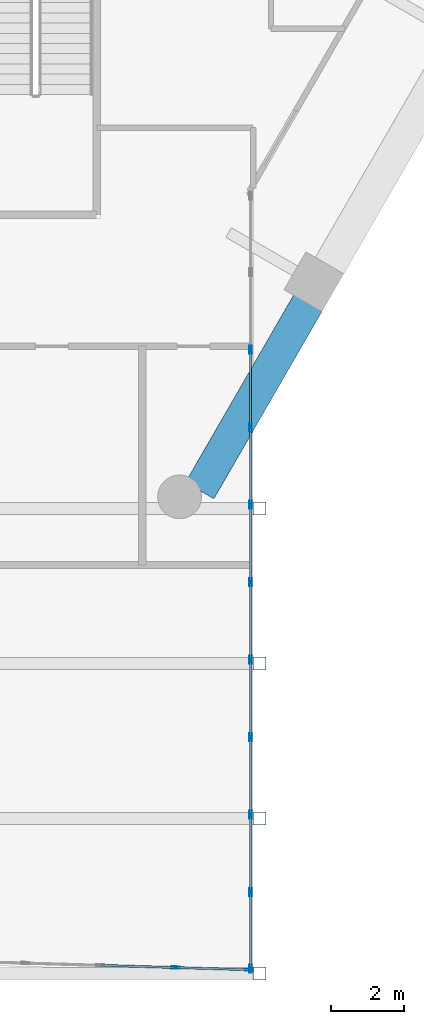
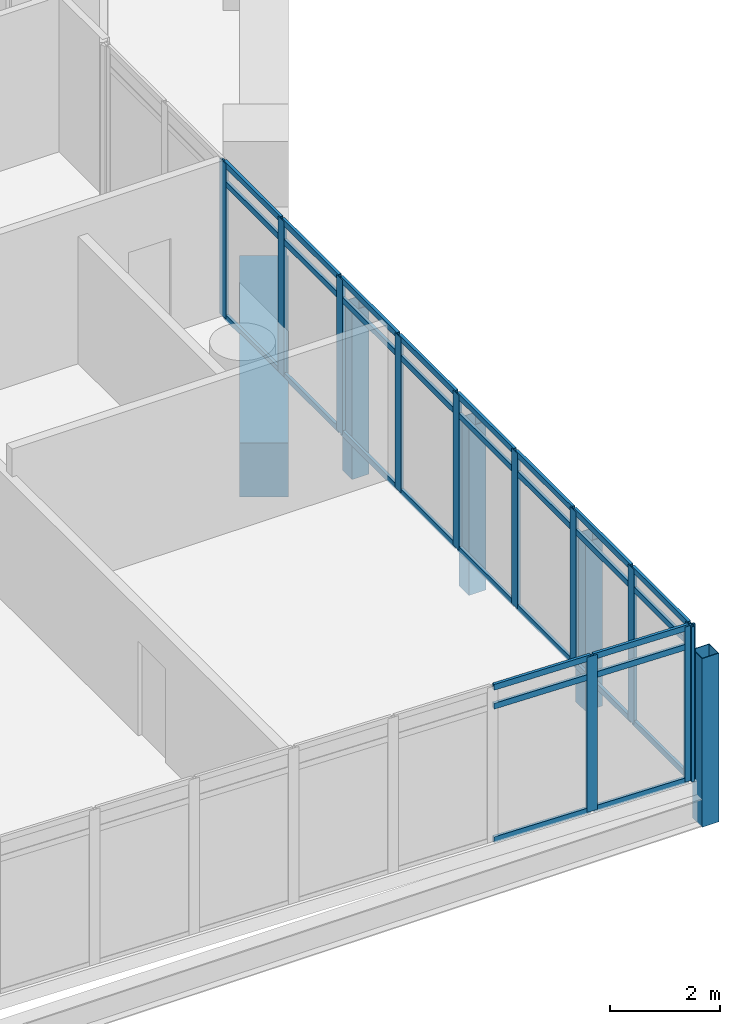
# One storey, part 10 of 28: 45 members, 1 beam, 2 elements without a shape of their own.
"""IFC4 building model written with IfcOpenShell, lengths in metres."""

from ifc_helpers import new_model, si_unit, direction, frame, origin, origin_2d, place, context, subcontext, project, spatial, rectangle, hollow_rectangle, extrude, material, material_profile, profile_set, type_object, element, aggregate, save


model = new_model("IFC4")

# Units and contexts
model_context = context("Model", 3, precision=1e-05, world=origin(), true_north=direction((0.0, 1.0)))
body_context = subcontext(model_context, "Body", "Model", "MODEL_VIEW")
ifc_project = project(units=[si_unit("LENGTHUNIT", "METRE"), si_unit("AREAUNIT", "SQUARE_METRE"), si_unit("VOLUMEUNIT", "CUBIC_METRE"), si_unit("PLANEANGLEUNIT", "RADIAN"), si_unit("MASSUNIT", "GRAM", prefix="KILO")], contexts=[model_context])

# Site, building, storey
site_placement = place(None, origin())
site = spatial("IfcSite", under=ifc_project, at=site_placement, CompositionType="ELEMENT")
building_placement = place(site_placement, origin())
building = spatial("IfcBuilding", under=site, at=building_placement, Name="Ostrander Bayou Hotel Tower", CompositionType="ELEMENT")
storey_placement = place(building_placement, frame((0.0, 0.0, 100.5)))
storey = spatial("IfcBuildingStorey", under=building, at=storey_placement, Name="L25", CompositionType="ELEMENT", Elevation=100.5)

# Curtain wall, members
ifc_material_1 = material(Name="Aluminium and clear glass", Category="aluminium")
curtain_wall_type = type_object("IfcCurtainWallType", Name="CW-BAR glazed wall", PredefinedType="NOTDEFINED", material=ifc_material_1)
curtain_wall_1_placement = place(storey_placement, origin())
curtain_wall_1 = element("IfcCurtainWall", 1, at=curtain_wall_1_placement, inside=storey, type_object=curtain_wall_type, Name="CW-BAR L25:SB2S:T", PredefinedType="NOTDEFINED")
ifc_material_2 = material(Name="Aluminium", Category="aluminium")
ifc_material_profile_1 = material_profile(ifc_material_2, hollow_rectangle(XDim=0.06005859375, YDim=0.219970703125, WallThickness=0.00390625, at=origin_2d()))
ifc_profile_set_1 = profile_set([ifc_material_profile_1], Name="Aluminium")
member_type_1 = type_object("IfcMemberType", Name="CW-BR mullion 60 x 220 mm", PredefinedType="MULLION", material=ifc_profile_set_1)
member_1_placement = place(storey_placement, frame((11.310791015625, -32.03662109375, 0.0), z_axis=(0.0, 0.0, 1.0), x_axis=(0.029746242041, 0.999557482631, 0.0)))
member_1 = element("IfcMember", 2, at=member_1_placement, type_object=member_type_1, Name="CW-BAR mullion 13", PredefinedType="MULLION", context=body_context, shape_type="SweptSolid", body=[
    extrude(hollow_rectangle(XDim=0.06005859375, YDim=0.219970703125, WallThickness=0.00390625, at=origin_2d()), origin(), (0.0, 0.0, 1.0), 3.449951171875),
])
member_2_placement = place(storey_placement, frame((13.337158203125, -32.096923828125, 0.0), z_axis=(0.0, 0.0, 1.0), x_axis=(0.029746242041, 0.999557482631, 0.0)))
member_2 = element("IfcMember", 3, at=member_2_placement, type_object=member_type_1, Name="CW-BAR mullion 14", PredefinedType="MULLION", context=body_context, shape_type="SweptSolid", body=[
    extrude(hollow_rectangle(XDim=0.06005859375, YDim=0.219970703125, WallThickness=0.00390625, at=origin_2d()), origin(), (0.0, 0.0, 1.0), 3.449951171875),
])

curtain_wall_2_placement = place(storey_placement, origin())
curtain_wall_2 = element("IfcCurtainWall", 4, at=curtain_wall_2_placement, inside=storey, type_object=curtain_wall_type, Name="CW-BAR L25:SB2S:W", PredefinedType="NOTDEFINED")
member_3_placement = place(storey_placement, frame((13.3671875, -15.097412109375, 0.0), z_axis=(0.0, 0.0, 1.0), x_axis=(1.0, 0.0, 0.0)))
member_3 = element("IfcMember", 5, at=member_3_placement, type_object=member_type_1, Name="CW-BAR mullion 3", PredefinedType="MULLION", context=body_context, shape_type="SweptSolid", body=[
    extrude(hollow_rectangle(XDim=0.06005859375, YDim=0.219970703125, WallThickness=0.00390625, at=origin_2d()), origin(), (0.0, 0.0, 1.0), 3.449951171875),
])
member_4_placement = place(storey_placement, frame((13.3671875, -17.222412109375, 0.0), z_axis=(0.0, 0.0, 1.0), x_axis=(1.0, 0.0, 0.0)))
member_4 = element("IfcMember", 6, at=member_4_placement, type_object=member_type_1, Name="CW-BAR mullion 4", PredefinedType="MULLION", context=body_context, shape_type="SweptSolid", body=[
    extrude(hollow_rectangle(XDim=0.06005859375, YDim=0.219970703125, WallThickness=0.00390625, at=origin_2d()), origin(), (0.0, 0.0, 1.0), 3.449951171875),
])
member_5_placement = place(storey_placement, frame((13.3671875, -19.347412109375, 0.0), z_axis=(0.0, 0.0, 1.0), x_axis=(1.0, 0.0, 0.0)))
member_5 = element("IfcMember", 7, at=member_5_placement, type_object=member_type_1, Name="CW-BAR mullion 5", PredefinedType="MULLION", context=body_context, shape_type="SweptSolid", body=[
    extrude(hollow_rectangle(XDim=0.06005859375, YDim=0.219970703125, WallThickness=0.00390625, at=origin_2d()), origin(), (0.0, 0.0, 1.0), 3.449951171875),
])
member_6_placement = place(storey_placement, frame((13.3671875, -21.47265625, 0.0), z_axis=(0.0, 0.0, 1.0), x_axis=(1.0, 0.0, 0.0)))
member_6 = element("IfcMember", 8, at=member_6_placement, type_object=member_type_1, Name="CW-BAR mullion 6", PredefinedType="MULLION", context=body_context, shape_type="SweptSolid", body=[
    extrude(hollow_rectangle(XDim=0.06005859375, YDim=0.219970703125, WallThickness=0.00390625, at=origin_2d()), origin(), (0.0, 0.0, 1.0), 3.449951171875),
])
member_7_placement = place(storey_placement, frame((13.3671875, -23.59765625, 0.0), z_axis=(0.0, 0.0, 1.0), x_axis=(1.0, 0.0, 0.0)))
member_7 = element("IfcMember", 9, at=member_7_placement, type_object=member_type_1, Name="CW-BAR mullion 7", PredefinedType="MULLION", context=body_context, shape_type="SweptSolid", body=[
    extrude(hollow_rectangle(XDim=0.06005859375, YDim=0.219970703125, WallThickness=0.00390625, at=origin_2d()), origin(), (0.0, 0.0, 1.0), 3.449951171875),
])
member_8_placement = place(storey_placement, frame((13.3671875, -25.72265625, 0.0), z_axis=(0.0, 0.0, 1.0), x_axis=(1.0, 0.0, 0.0)))
member_8 = element("IfcMember", 10, at=member_8_placement, type_object=member_type_1, Name="CW-BAR mullion 8", PredefinedType="MULLION", context=body_context, shape_type="SweptSolid", body=[
    extrude(hollow_rectangle(XDim=0.06005859375, YDim=0.219970703125, WallThickness=0.00390625, at=origin_2d()), origin(), (0.0, 0.0, 1.0), 3.449951171875),
])
member_9_placement = place(storey_placement, frame((13.3671875, -27.84765625, 0.0), z_axis=(0.0, 0.0, 1.0), x_axis=(1.0, 0.0, 0.0)))
member_9 = element("IfcMember", 11, at=member_9_placement, type_object=member_type_1, Name="CW-BAR mullion 9", PredefinedType="MULLION", context=body_context, shape_type="SweptSolid", body=[
    extrude(hollow_rectangle(XDim=0.06005859375, YDim=0.219970703125, WallThickness=0.00390625, at=origin_2d()), origin(), (0.0, 0.0, 1.0), 3.449951171875),
])
member_10_placement = place(storey_placement, frame((13.3671875, -29.97265625, 0.0), z_axis=(0.0, 0.0, 1.0), x_axis=(1.0, 0.0, 0.0)))
member_10 = element("IfcMember", 12, at=member_10_placement, type_object=member_type_1, Name="CW-BAR mullion 10", PredefinedType="MULLION", context=body_context, shape_type="SweptSolid", body=[
    extrude(hollow_rectangle(XDim=0.06005859375, YDim=0.219970703125, WallThickness=0.00390625, at=origin_2d()), origin(), (0.0, 0.0, 1.0), 3.449951171875),
])
member_11_placement = place(storey_placement, frame((13.3671875, -32.06787109375, 0.0), z_axis=(0.0, 0.0, 1.0), x_axis=(1.0, 0.0, 0.0)))
member_11 = element("IfcMember", 13, at=member_11_placement, type_object=member_type_1, Name="CW-BAR mullion 11", PredefinedType="MULLION", context=body_context, shape_type="SweptSolid", body=[
    extrude(hollow_rectangle(XDim=0.06005859375, YDim=0.219970703125, WallThickness=0.00390625, at=origin_2d()), origin(), (0.0, 0.0, 1.0), 3.449951171875),
])

# Member
ifc_material_3 = material(Name="Aluminium", Category="aluminium")
ifc_material_profile_2 = material_profile(ifc_material_3, hollow_rectangle(XDim=0.06005859375, YDim=0.1298828125, WallThickness=0.00390625, at=origin_2d()))
ifc_profile_set_2 = profile_set([ifc_material_profile_2], Name="Aluminium")
member_type_2 = type_object("IfcMemberType", Name="CW-BR transom 60 x 130 mm", PredefinedType="USERDEFINED", material=ifc_profile_set_2)
member_12_placement = place(storey_placement, frame((9.2841796875, -31.976318359375, 0.030029296875), z_axis=(0.999558835181, -0.029700757758, 0.0), x_axis=(0.029700757758, 0.999558835181, 0.0)))
member_12 = element("IfcMember", 14, at=member_12_placement, type_object=member_type_2, Name="CW-BAR transom 12.1", ObjectType="TRANSOM", PredefinedType="USERDEFINED", context=body_context, shape_type="SweptSolid", body=[
    extrude(hollow_rectangle(XDim=0.06005859375, YDim=0.1298828125, WallThickness=0.00390625, at=origin_2d()), origin(), (0.0, 0.0, 1.0), 1.99755859375),
])

member_13_placement = place(storey_placement, frame((9.2841796875, -31.976318359375, 3.0), z_axis=(0.999558835181, -0.029700757758, 0.0), x_axis=(0.029700757758, 0.999558835181, 0.0)))
member_13 = element("IfcMember", 15, at=member_13_placement, type_object=member_type_2, Name="CW-BAR transom 12.2", ObjectType="TRANSOM", PredefinedType="USERDEFINED", context=body_context, shape_type="SweptSolid", body=[
    extrude(hollow_rectangle(XDim=0.06005859375, YDim=0.1298828125, WallThickness=0.00390625, at=origin_2d()), origin(), (0.0, 0.0, 1.0), 1.99755859375),
])

member_14_placement = place(storey_placement, frame((9.2841796875, -31.976318359375, 3.419921875), z_axis=(0.999558835181, -0.029700757758, 0.0), x_axis=(0.029700757758, 0.999558835181, 0.0)))
member_14 = element("IfcMember", 16, at=member_14_placement, type_object=member_type_2, Name="CW-BAR transom 12.3", ObjectType="TRANSOM", PredefinedType="USERDEFINED", context=body_context, shape_type="SweptSolid", body=[
    extrude(hollow_rectangle(XDim=0.06005859375, YDim=0.1298828125, WallThickness=0.00390625, at=origin_2d()), origin(), (0.0, 0.0, 1.0), 1.99755859375),
])

member_15_placement = place(storey_placement, frame((11.340576171875, -32.03759765625, 0.030029296875), z_axis=(0.99956010596, -0.029657959693, 0.0), x_axis=(0.029657959693, 0.99956010596, 0.0)))
member_15 = element("IfcMember", 17, at=member_15_placement, type_object=member_type_2, Name="CW-BAR transom 13.1", ObjectType="TRANSOM", PredefinedType="USERDEFINED", context=body_context, shape_type="SweptSolid", body=[
    extrude(hollow_rectangle(XDim=0.06005859375, YDim=0.1298828125, WallThickness=0.00390625, at=origin_2d()), origin(), (0.0, 0.0, 1.0), 1.967529296875),
])

member_16_placement = place(storey_placement, frame((11.340576171875, -32.03759765625, 3.0), z_axis=(0.99956010596, -0.029657959693, 0.0), x_axis=(0.029657959693, 0.99956010596, 0.0)))
member_16 = element("IfcMember", 18, at=member_16_placement, type_object=member_type_2, Name="CW-BAR transom 13.2", ObjectType="TRANSOM", PredefinedType="USERDEFINED", context=body_context, shape_type="SweptSolid", body=[
    extrude(hollow_rectangle(XDim=0.06005859375, YDim=0.1298828125, WallThickness=0.00390625, at=origin_2d()), origin(), (0.0, 0.0, 1.0), 1.967529296875),
])

member_17_placement = place(storey_placement, frame((11.340576171875, -32.03759765625, 3.419921875), z_axis=(0.99956010596, -0.029657959693, 0.0), x_axis=(0.029657959693, 0.99956010596, 0.0)))
member_17 = element("IfcMember", 19, at=member_17_placement, type_object=member_type_2, Name="CW-BAR transom 13.3", ObjectType="TRANSOM", PredefinedType="USERDEFINED", context=body_context, shape_type="SweptSolid", body=[
    extrude(hollow_rectangle(XDim=0.06005859375, YDim=0.1298828125, WallThickness=0.00390625, at=origin_2d()), origin(), (0.0, 0.0, 1.0), 1.967529296875),
])

aggregate(curtain_wall_1, [member_1, member_2, member_12, member_13, member_14, member_15, member_16, member_17])

member_18_placement = place(storey_placement, frame((13.3671875, -15.12744140625, 0.030029296875), z_axis=(0.0, -1.0, 0.0), x_axis=(1.0, 0.0, 0.0)))
member_18 = element("IfcMember", 20, at=member_18_placement, type_object=member_type_2, Name="CW-BAR transom 3.1", ObjectType="TRANSOM", PredefinedType="USERDEFINED", context=body_context, shape_type="SweptSolid", body=[
    extrude(hollow_rectangle(XDim=0.06005859375, YDim=0.1298828125, WallThickness=0.00390625, at=origin_2d()), origin(), (0.0, 0.0, 1.0), 2.06494140625),
])

member_19_placement = place(storey_placement, frame((13.3671875, -15.12744140625, 3.0), z_axis=(0.0, -1.0, 0.0), x_axis=(1.0, 0.0, 0.0)))
member_19 = element("IfcMember", 21, at=member_19_placement, type_object=member_type_2, Name="CW-BAR transom 3.2", ObjectType="TRANSOM", PredefinedType="USERDEFINED", context=body_context, shape_type="SweptSolid", body=[
    extrude(hollow_rectangle(XDim=0.06005859375, YDim=0.1298828125, WallThickness=0.00390625, at=origin_2d()), origin(), (0.0, 0.0, 1.0), 2.06494140625),
])

member_20_placement = place(storey_placement, frame((13.3671875, -15.12744140625, 3.419921875), z_axis=(0.0, -1.0, 0.0), x_axis=(1.0, 0.0, 0.0)))
member_20 = element("IfcMember", 22, at=member_20_placement, type_object=member_type_2, Name="CW-BAR transom 3.3", ObjectType="TRANSOM", PredefinedType="USERDEFINED", context=body_context, shape_type="SweptSolid", body=[
    extrude(hollow_rectangle(XDim=0.06005859375, YDim=0.1298828125, WallThickness=0.00390625, at=origin_2d()), origin(), (0.0, 0.0, 1.0), 2.06494140625),
])

member_21_placement = place(storey_placement, frame((13.3671875, -17.25244140625, 0.030029296875), z_axis=(0.0, -1.0, 0.0), x_axis=(1.0, 0.0, 0.0)))
member_21 = element("IfcMember", 23, at=member_21_placement, type_object=member_type_2, Name="CW-BAR transom 4.1", ObjectType="TRANSOM", PredefinedType="USERDEFINED", context=body_context, shape_type="SweptSolid", body=[
    extrude(hollow_rectangle(XDim=0.06005859375, YDim=0.1298828125, WallThickness=0.00390625, at=origin_2d()), origin(), (0.0, 0.0, 1.0), 2.06494140625),
])

member_22_placement = place(storey_placement, frame((13.3671875, -17.25244140625, 3.0), z_axis=(0.0, -1.0, 0.0), x_axis=(1.0, 0.0, 0.0)))
member_22 = element("IfcMember", 24, at=member_22_placement, type_object=member_type_2, Name="CW-BAR transom 4.2", ObjectType="TRANSOM", PredefinedType="USERDEFINED", context=body_context, shape_type="SweptSolid", body=[
    extrude(hollow_rectangle(XDim=0.06005859375, YDim=0.1298828125, WallThickness=0.00390625, at=origin_2d()), origin(), (0.0, 0.0, 1.0), 2.06494140625),
])

member_23_placement = place(storey_placement, frame((13.3671875, -17.25244140625, 3.419921875), z_axis=(0.0, -1.0, 0.0), x_axis=(1.0, 0.0, 0.0)))
member_23 = element("IfcMember", 25, at=member_23_placement, type_object=member_type_2, Name="CW-BAR transom 4.3", ObjectType="TRANSOM", PredefinedType="USERDEFINED", context=body_context, shape_type="SweptSolid", body=[
    extrude(hollow_rectangle(XDim=0.06005859375, YDim=0.1298828125, WallThickness=0.00390625, at=origin_2d()), origin(), (0.0, 0.0, 1.0), 2.06494140625),
])

member_24_placement = place(storey_placement, frame((13.3671875, -19.37744140625, 0.030029296875), z_axis=(0.0, -1.0, 0.0), x_axis=(1.0, 0.0, 0.0)))
member_24 = element("IfcMember", 26, at=member_24_placement, type_object=member_type_2, Name="CW-BAR transom 5.1", ObjectType="TRANSOM", PredefinedType="USERDEFINED", context=body_context, shape_type="SweptSolid", body=[
    extrude(hollow_rectangle(XDim=0.06005859375, YDim=0.1298828125, WallThickness=0.00390625, at=origin_2d()), origin(), (0.0, 0.0, 1.0), 2.065185546875),
])

member_25_placement = place(storey_placement, frame((13.3671875, -19.37744140625, 3.0), z_axis=(0.0, -1.0, 0.0), x_axis=(1.0, 0.0, 0.0)))
member_25 = element("IfcMember", 27, at=member_25_placement, type_object=member_type_2, Name="CW-BAR transom 5.2", ObjectType="TRANSOM", PredefinedType="USERDEFINED", context=body_context, shape_type="SweptSolid", body=[
    extrude(hollow_rectangle(XDim=0.06005859375, YDim=0.1298828125, WallThickness=0.00390625, at=origin_2d()), origin(), (0.0, 0.0, 1.0), 2.065185546875),
])

member_26_placement = place(storey_placement, frame((13.3671875, -19.37744140625, 3.419921875), z_axis=(0.0, -1.0, 0.0), x_axis=(1.0, 0.0, 0.0)))
member_26 = element("IfcMember", 28, at=member_26_placement, type_object=member_type_2, Name="CW-BAR transom 5.3", ObjectType="TRANSOM", PredefinedType="USERDEFINED", context=body_context, shape_type="SweptSolid", body=[
    extrude(hollow_rectangle(XDim=0.06005859375, YDim=0.1298828125, WallThickness=0.00390625, at=origin_2d()), origin(), (0.0, 0.0, 1.0), 2.065185546875),
])

member_27_placement = place(storey_placement, frame((13.3671875, -21.50244140625, 0.030029296875), z_axis=(0.0, -1.0, 0.0), x_axis=(1.0, 0.0, 0.0)))
member_27 = element("IfcMember", 29, at=member_27_placement, type_object=member_type_2, Name="CW-BAR transom 6.1", ObjectType="TRANSOM", PredefinedType="USERDEFINED", context=body_context, shape_type="SweptSolid", body=[
    extrude(hollow_rectangle(XDim=0.06005859375, YDim=0.1298828125, WallThickness=0.00390625, at=origin_2d()), origin(), (0.0, 0.0, 1.0), 2.065185546875),
])

member_28_placement = place(storey_placement, frame((13.3671875, -21.50244140625, 3.0), z_axis=(0.0, -1.0, 0.0), x_axis=(1.0, 0.0, 0.0)))
member_28 = element("IfcMember", 30, at=member_28_placement, type_object=member_type_2, Name="CW-BAR transom 6.2", ObjectType="TRANSOM", PredefinedType="USERDEFINED", context=body_context, shape_type="SweptSolid", body=[
    extrude(hollow_rectangle(XDim=0.06005859375, YDim=0.1298828125, WallThickness=0.00390625, at=origin_2d()), origin(), (0.0, 0.0, 1.0), 2.065185546875),
])

member_29_placement = place(storey_placement, frame((13.3671875, -21.50244140625, 3.419921875), z_axis=(0.0, -1.0, 0.0), x_axis=(1.0, 0.0, 0.0)))
member_29 = element("IfcMember", 31, at=member_29_placement, type_object=member_type_2, Name="CW-BAR transom 6.3", ObjectType="TRANSOM", PredefinedType="USERDEFINED", context=body_context, shape_type="SweptSolid", body=[
    extrude(hollow_rectangle(XDim=0.06005859375, YDim=0.1298828125, WallThickness=0.00390625, at=origin_2d()), origin(), (0.0, 0.0, 1.0), 2.065185546875),
])

member_30_placement = place(storey_placement, frame((13.3671875, -23.627685546875, 0.030029296875), z_axis=(0.0, -1.0, 0.0), x_axis=(1.0, 0.0, 0.0)))
member_30 = element("IfcMember", 32, at=member_30_placement, type_object=member_type_2, Name="CW-BAR transom 7.1", ObjectType="TRANSOM", PredefinedType="USERDEFINED", context=body_context, shape_type="SweptSolid", body=[
    extrude(hollow_rectangle(XDim=0.06005859375, YDim=0.1298828125, WallThickness=0.00390625, at=origin_2d()), origin(), (0.0, 0.0, 1.0), 2.06494140625),
])

member_31_placement = place(storey_placement, frame((13.3671875, -23.627685546875, 3.0), z_axis=(0.0, -1.0, 0.0), x_axis=(1.0, 0.0, 0.0)))
member_31 = element("IfcMember", 33, at=member_31_placement, type_object=member_type_2, Name="CW-BAR transom 7.2", ObjectType="TRANSOM", PredefinedType="USERDEFINED", context=body_context, shape_type="SweptSolid", body=[
    extrude(hollow_rectangle(XDim=0.06005859375, YDim=0.1298828125, WallThickness=0.00390625, at=origin_2d()), origin(), (0.0, 0.0, 1.0), 2.06494140625),
])

member_32_placement = place(storey_placement, frame((13.3671875, -23.627685546875, 3.419921875), z_axis=(0.0, -1.0, 0.0), x_axis=(1.0, 0.0, 0.0)))
member_32 = element("IfcMember", 34, at=member_32_placement, type_object=member_type_2, Name="CW-BAR transom 7.3", ObjectType="TRANSOM", PredefinedType="USERDEFINED", context=body_context, shape_type="SweptSolid", body=[
    extrude(hollow_rectangle(XDim=0.06005859375, YDim=0.1298828125, WallThickness=0.00390625, at=origin_2d()), origin(), (0.0, 0.0, 1.0), 2.06494140625),
])

member_33_placement = place(storey_placement, frame((13.3671875, -25.752685546875, 0.030029296875), z_axis=(0.0, -1.0, 0.0), x_axis=(1.0, 0.0, 0.0)))
member_33 = element("IfcMember", 35, at=member_33_placement, type_object=member_type_2, Name="CW-BAR transom 8.1", ObjectType="TRANSOM", PredefinedType="USERDEFINED", context=body_context, shape_type="SweptSolid", body=[
    extrude(hollow_rectangle(XDim=0.06005859375, YDim=0.1298828125, WallThickness=0.00390625, at=origin_2d()), origin(), (0.0, 0.0, 1.0), 2.06494140625),
])

member_34_placement = place(storey_placement, frame((13.3671875, -25.752685546875, 3.0), z_axis=(0.0, -1.0, 0.0), x_axis=(1.0, 0.0, 0.0)))
member_34 = element("IfcMember", 36, at=member_34_placement, type_object=member_type_2, Name="CW-BAR transom 8.2", ObjectType="TRANSOM", PredefinedType="USERDEFINED", context=body_context, shape_type="SweptSolid", body=[
    extrude(hollow_rectangle(XDim=0.06005859375, YDim=0.1298828125, WallThickness=0.00390625, at=origin_2d()), origin(), (0.0, 0.0, 1.0), 2.06494140625),
])

member_35_placement = place(storey_placement, frame((13.3671875, -25.752685546875, 3.419921875), z_axis=(0.0, -1.0, 0.0), x_axis=(1.0, 0.0, 0.0)))
member_35 = element("IfcMember", 37, at=member_35_placement, type_object=member_type_2, Name="CW-BAR transom 8.3", ObjectType="TRANSOM", PredefinedType="USERDEFINED", context=body_context, shape_type="SweptSolid", body=[
    extrude(hollow_rectangle(XDim=0.06005859375, YDim=0.1298828125, WallThickness=0.00390625, at=origin_2d()), origin(), (0.0, 0.0, 1.0), 2.06494140625),
])

member_36_placement = place(storey_placement, frame((13.3671875, -27.877685546875, 0.030029296875), z_axis=(0.0, -1.0, 0.0), x_axis=(1.0, 0.0, 0.0)))
member_36 = element("IfcMember", 38, at=member_36_placement, type_object=member_type_2, Name="CW-BAR transom 9.1", ObjectType="TRANSOM", PredefinedType="USERDEFINED", context=body_context, shape_type="SweptSolid", body=[
    extrude(hollow_rectangle(XDim=0.06005859375, YDim=0.1298828125, WallThickness=0.00390625, at=origin_2d()), origin(), (0.0, 0.0, 1.0), 2.065185546875),
])

member_37_placement = place(storey_placement, frame((13.3671875, -27.877685546875, 3.0), z_axis=(0.0, -1.0, 0.0), x_axis=(1.0, 0.0, 0.0)))
member_37 = element("IfcMember", 39, at=member_37_placement, type_object=member_type_2, Name="CW-BAR transom 9.2", ObjectType="TRANSOM", PredefinedType="USERDEFINED", context=body_context, shape_type="SweptSolid", body=[
    extrude(hollow_rectangle(XDim=0.06005859375, YDim=0.1298828125, WallThickness=0.00390625, at=origin_2d()), origin(), (0.0, 0.0, 1.0), 2.065185546875),
])

member_38_placement = place(storey_placement, frame((13.3671875, -27.877685546875, 3.419921875), z_axis=(0.0, -1.0, 0.0), x_axis=(1.0, 0.0, 0.0)))
member_38 = element("IfcMember", 40, at=member_38_placement, type_object=member_type_2, Name="CW-BAR transom 9.3", ObjectType="TRANSOM", PredefinedType="USERDEFINED", context=body_context, shape_type="SweptSolid", body=[
    extrude(hollow_rectangle(XDim=0.06005859375, YDim=0.1298828125, WallThickness=0.00390625, at=origin_2d()), origin(), (0.0, 0.0, 1.0), 2.065185546875),
])

member_39_placement = place(storey_placement, frame((13.3671875, -30.002685546875, 0.030029296875), z_axis=(0.0, -1.0, 0.0), x_axis=(1.0, 0.0, 0.0)))
member_39 = element("IfcMember", 41, at=member_39_placement, type_object=member_type_2, Name="CW-BAR transom 10.1", ObjectType="TRANSOM", PredefinedType="USERDEFINED", context=body_context, shape_type="SweptSolid", body=[
    extrude(hollow_rectangle(XDim=0.06005859375, YDim=0.1298828125, WallThickness=0.00390625, at=origin_2d()), origin(), (0.0, 0.0, 1.0), 2.03515625),
])

member_40_placement = place(storey_placement, frame((13.3671875, -30.002685546875, 3.0), z_axis=(0.0, -1.0, 0.0), x_axis=(1.0, 0.0, 0.0)))
member_40 = element("IfcMember", 42, at=member_40_placement, type_object=member_type_2, Name="CW-BAR transom 10.2", ObjectType="TRANSOM", PredefinedType="USERDEFINED", context=body_context, shape_type="SweptSolid", body=[
    extrude(hollow_rectangle(XDim=0.06005859375, YDim=0.1298828125, WallThickness=0.00390625, at=origin_2d()), origin(), (0.0, 0.0, 1.0), 2.03515625),
])

member_41_placement = place(storey_placement, frame((13.3671875, -30.002685546875, 3.419921875), z_axis=(0.0, -1.0, 0.0), x_axis=(1.0, 0.0, 0.0)))
member_41 = element("IfcMember", 43, at=member_41_placement, type_object=member_type_2, Name="CW-BAR transom 10.3", ObjectType="TRANSOM", PredefinedType="USERDEFINED", context=body_context, shape_type="SweptSolid", body=[
    extrude(hollow_rectangle(XDim=0.06005859375, YDim=0.1298828125, WallThickness=0.00390625, at=origin_2d()), origin(), (0.0, 0.0, 1.0), 2.03515625),
])

aggregate(curtain_wall_2, [member_3, member_4, member_5, member_6, member_7, member_8, member_9, member_10, member_11, member_18, member_19, member_20, member_21, member_22, member_23, member_24, member_25, member_26, member_27, member_28, member_29, member_30, member_31, member_32, member_33, member_34, member_35, member_36, member_37, member_38, member_39, member_40, member_41])

# Beam
ifc_material_4 = material(Name="Concrete f'c 70 MPa", Category="concrete")
ifc_material_profile_3 = material_profile(ifc_material_4, rectangle(XDim=0.89990234375, YDim=1.199951171875, at=origin_2d()))
ifc_profile_set_3 = profile_set([ifc_material_profile_3], Name="Concrete f'c 70 MPa")
beam_type = type_object("IfcBeamType", Name="SP2 spandrel beam 900 x 1200 mm f'c 70 MPa", PredefinedType="SPANDREL", material=ifc_profile_set_3)
beam_placement = place(storey_placement, frame((11.974853515625, -18.958984375, -0.60009765625), z_axis=(0.499988630717, 0.866031967744, 0.0), x_axis=(-0.866031967744, 0.499988630717, 0.0)))
element("IfcBeam", 44, at=beam_placement, inside=storey, type_object=beam_type, Name="SP2 L25 SE-1", PredefinedType="SPANDREL", context=body_context, shape_type="SweptSolid", body=[
    extrude(rectangle(XDim=0.89990234375, YDim=1.199951171875, at=origin_2d()), origin(), (0.0, 0.0, 1.0), 5.954833984375),
])

# Members
ifc_material_5 = material(Name="Steel ASTM A500 Gr C", Category="steel")
ifc_material_profile_4 = material_profile(ifc_material_5, hollow_rectangle(XDim=0.355712890625, YDim=0.355712890625, WallThickness=0.0146484375, at=origin_2d()))
ifc_profile_set_4 = profile_set([ifc_material_profile_4], Name="Steel ASTM A500 Gr C")
member_type_3 = type_object("IfcMemberType", Name="TH1 bar hanger HSS14x14x5/8", PredefinedType="POST", material=ifc_profile_set_4)
for number, where, z_axis, x_axis, name in (
    (45, (13.6201171875, -19.450927734375, -0.921875), (0.0, 0.0, 1.0), (1.0, 0.0, 0.0), "TH1 SB2SB H1-3"),
    (46, (13.6201171875, -23.70068359375, -0.921875), (0.0, 0.0, 1.0), (1.0, 0.0, 0.0), "TH1 SB2SB H2-3"),
    (47, (13.6201171875, -27.9501953125, -0.921875), (0.0, 0.0, 1.0), (1.0, 0.0, 0.0), "TH1 SB2SB H3-3"),
    (48, (13.6201171875, -32.199951171875, -0.921875), (0.0, 0.0, 1.0), (1.0, 0.0, 0.0), "TH1 SB2SB H4-3"),
):
    element("IfcMember", number, at=place(storey_placement, frame(where, z_axis=z_axis, x_axis=x_axis)), inside=storey, type_object=member_type_3, Name=name, PredefinedType="POST", context=body_context, shape_type="SweptSolid", body=[
        extrude(hollow_rectangle(XDim=0.355712890625, YDim=0.355712890625, WallThickness=0.0146484375, at=origin_2d()), origin(), (0.0, 0.0, 1.0), 3.75),
    ])

save(model, "model.ifc")
